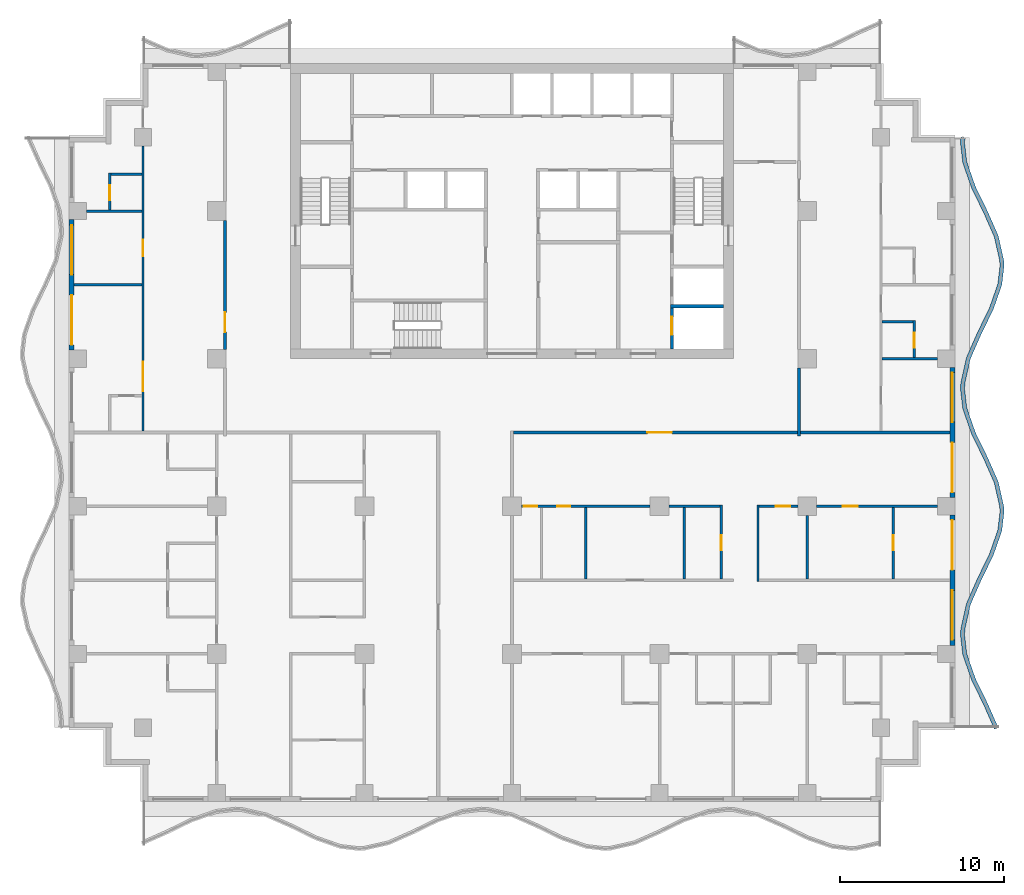
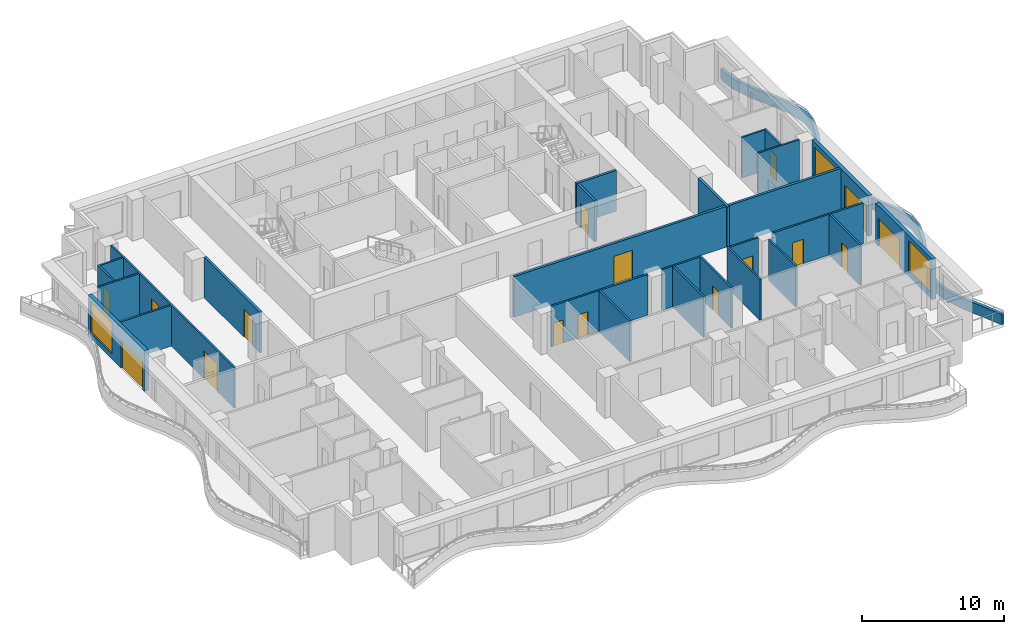
# One storey, part 4 of 11: 28 walls, 16 doors, 3 windows, 19 openings.
"""IFC4 building model written with IfcOpenShell, lengths in metres."""

from ifc_helpers import new_model, si_unit, direction, frame, frame_2d, origin, place, context, subcontext, project, spatial, polyline, rectangle, outline, extrude, material, layer, layer_set, type_object, element, fill, save


model = new_model("IFC4")

# Units and contexts
model_context = context("Model", 3, precision=1e-05, world=origin(), true_north=direction((0.0, 1.0)))
body_context = subcontext(model_context, "Body", "Model", "MODEL_VIEW")
ifc_project = project(units=[si_unit("LENGTHUNIT", "METRE"), si_unit("AREAUNIT", "SQUARE_METRE"), si_unit("VOLUMEUNIT", "CUBIC_METRE"), si_unit("PLANEANGLEUNIT", "RADIAN"), si_unit("MASSUNIT", "GRAM", prefix="KILO")], contexts=[model_context])

# Site, building, storey
site_placement = place(None, origin())
site = spatial("IfcSite", under=ifc_project, at=site_placement, CompositionType="ELEMENT")
building_placement = place(site_placement, origin())
building = spatial("IfcBuilding", under=site, at=building_placement, Name="Orbiselva Terraces", CompositionType="ELEMENT")
storey_placement = place(building_placement, frame((0.0, 0.0, 192.0)))
storey = spatial("IfcBuildingStorey", under=building, at=storey_placement, Name="L48", CompositionType="ELEMENT", Elevation=192.0)

# Wall, opening, door
ifc_material_1 = material(Name="Concrete C60/75", Category="concrete")
ifc_layer_1 = layer(ifc_material_1, 0.2)
ifc_layer_set_1 = layer_set([ifc_layer_1], Name="Concrete C60/75")
wall_type_1 = type_object("IfcWallType", Name="CORE-WALL-SHEAR-200", PredefinedType="SHEAR", material=ifc_layer_set_1)
wall_1_placement = place(storey_placement, frame((9.75, 5.1, 0.0), z_axis=(0.0, 0.0, 1.0), x_axis=(0.0, 1.0, 0.0)))
wall_1 = element("IfcWall", 1, at=wall_1_placement, inside=storey, type_object=wall_type_1, Name="L48 core wall 36", PredefinedType="SHEAR", context=body_context, shape_type="SweptSolid", body=[
    extrude(rectangle(XDim=2.5, YDim=0.2, at=frame_2d((1.25, 0.0))), origin(), (0.0, 0.0, 1.0), 3.5),
])
opening_1_placement = place(wall_1_placement, frame((0.85, 0.0, 0.0)))
opening_1 = element("IfcOpeningElement", 2, at=opening_1_placement, cuts=wall_1, Name="Opening LD-FF1", PredefinedType="OPENING", context=body_context, shape_type="SweptSolid", body=[
    extrude(rectangle(XDim=1.1, YDim=2.1, at=frame_2d((0.55, 1.05))), frame((0.0, 0.11, 0.0), z_axis=(0.0, -1.0, 0.0), x_axis=(1.0, 0.0, 0.0)), (0.0, 0.0, 1.0), 0.22),
])
ifc_material_2 = material(Name="Stainless steel landing door", Category="steel")
door_type_1 = type_object("IfcDoorType", Name="LANDING DOOR 1100", OperationType="SLIDING_TO_LEFT", PredefinedType="DOOR", material=ifc_material_2)
door_1_placement = place(opening_1_placement, origin())
door_1 = element("IfcDoor", 3, at=door_1_placement, inside=storey, type_object=door_type_1, Name="L48 landing door FF1", OperationType="SLIDING_TO_RIGHT", OverallHeight=2.1, OverallWidth=1.1, PredefinedType="DOOR", context=body_context, shape_type="SweptSolid", body=[
    extrude(rectangle(XDim=1.1, YDim=2.1, at=frame_2d((0.55, 1.05))), frame((0.0, 0.025, 0.0), z_axis=(0.0, -1.0, 0.0), x_axis=(1.0, 0.0, 0.0)), (0.0, 0.0, 1.0), 0.05),
])
fill(opening_1, door_1)

# Walls
wall_2_placement = place(storey_placement, frame((9.65, 7.7, 0.0), z_axis=(0.0, 0.0, 1.0), x_axis=(1.0, 0.0, 0.0)))
element("IfcWall", 4, at=wall_2_placement, inside=storey, type_object=wall_type_1, Name="L48 core wall 37", PredefinedType="SHEAR", context=body_context, shape_type="SweptSolid", body=[
    extrude(rectangle(XDim=3.25, YDim=0.2, at=frame_2d((1.625, 0.0))), origin(), (0.0, 0.0, 1.0), 3.5),
])
ifc_material_3 = material(Name="Concrete C40/50", Category="concrete")
ifc_layer_2 = layer(ifc_material_3, 0.25)
ifc_layer_set_2 = layer_set([ifc_layer_2], Name="Concrete C40/50")
wall_type_2 = type_object("IfcWallType", Name="ENV-PLANTER-250x900", PredefinedType="USERDEFINED", material=ifc_layer_set_2)
wall_3_placement = place(storey_placement, origin())
element("IfcWall", 5, at=wall_3_placement, inside=storey, type_object=wall_type_2, Name="Balcony planter L48 E", ObjectType="PLANTER", PredefinedType="USERDEFINED", context=body_context, shape_type="SweptSolid", body=[
    extrude(outline(polyline([(29.648528, -18.0), (28.987721, -16.5), (28.255211, -15.0), (27.730792, -13.5), (27.6, -12.375), (27.614774, -12.0), (27.951472, -10.5), (28.612279, -9.0), (29.344789, -7.5), (29.869208, -6.0), (30.0, -4.875), (29.985226, -4.5), (29.648528, -3.0), (28.987721, -1.5), (28.255211, 0.0), (27.730792, 1.5), (27.6, 2.625), (27.614774, 3.0), (27.951472, 4.5), (28.612279, 6.0), (29.344789, 7.5), (29.869208, 9.0), (30.0, 10.125), (29.985226, 10.5), (29.648528, 12.0), (28.987721, 13.5), (28.255211, 15.0), (27.730792, 16.5), (27.6, 17.625), (27.614774, 18.0), (27.364968, 18.009842), (27.349429, 17.615428), (27.485662, 16.443629), (28.024089, 14.90356), (28.760919, 13.394714), (29.40993, 11.921492), (29.736315, 10.467435), (29.749429, 10.134572), (29.624078, 9.056371), (29.113667, 7.59644), (28.385477, 6.105286), (27.712874, 4.578508), (27.365863, 3.032565), (27.349429, 2.615428), (27.485662, 1.443629), (28.024089, -0.09644), (28.760919, -1.605286), (29.40993, -3.078508), (29.736315, -4.532565), (29.749429, -4.865428), (29.624078, -5.943629), (29.113667, -7.40356), (28.385477, -8.894714), (27.712874, -10.421492), (27.365863, -11.967435), (27.349429, -12.384572), (27.485662, -13.556371), (28.024089, -15.09644), (28.760919, -16.605286), (29.419745, -18.100788), (29.648528, -18.0)])), origin(), (0.0, 0.0, 1.0), 0.9),
])

# Wall, openings, door, window
ifc_material_4 = material(Name="Terracotta cladding on masonry backing", Category="masonry")
ifc_layer_3 = layer(ifc_material_4, 0.3)
ifc_layer_set_3 = layer_set([ifc_layer_3], Name="Terracotta cladding on masonry backing")
wall_type_3 = type_object("IfcWallType", Name="ENV-WALL-TERRACOTTA-300", PredefinedType="SOLIDWALL", material=ifc_layer_set_3)
wall_4_placement = place(storey_placement, frame((26.85, -5.025, 0.0), z_axis=(0.0, 0.0, 1.0), x_axis=(0.0, -1.0, 0.0)))
wall_4 = element("IfcWall", 6, at=wall_4_placement, inside=storey, type_object=wall_type_3, Name="Facade wall L48 E", PredefinedType="SOLIDWALL", context=body_context, shape_type="SweptSolid", body=[
    extrude(rectangle(XDim=7.95, YDim=0.3, at=frame_2d((3.975, 0.0))), origin(), (0.0, 0.0, 1.0), 3.5),
])
opening_2_placement = place(wall_4_placement, frame((4.6, 0.0, 0.45)))
opening_2 = element("IfcOpeningElement", 7, at=opening_2_placement, cuts=wall_4, Name="Opening WN14", PredefinedType="OPENING", context=body_context, shape_type="SweptSolid", body=[
    extrude(rectangle(XDim=3.025, YDim=2.65, at=frame_2d((1.5125, 1.325))), frame((0.0, 0.16, 0.0), z_axis=(0.0, -1.0, 0.0), x_axis=(1.0, 0.0, 0.0)), (0.0, 0.0, 1.0), 0.32),
])
opening_3_placement = place(wall_4_placement, frame((0.325, 0.0, 0.0)))
opening_3 = element("IfcOpeningElement", 8, at=opening_3_placement, cuts=wall_4, Name="Opening Z4-A-E17", PredefinedType="OPENING", context=body_context, shape_type="SweptSolid", body=[
    extrude(rectangle(XDim=3.025, YDim=2.4, at=frame_2d((1.5125, 1.2))), frame((0.0, 0.16, 0.0), z_axis=(0.0, -1.0, 0.0), x_axis=(1.0, 0.0, 0.0)), (0.0, 0.0, 1.0), 0.32),
])
ifc_material_5 = material(Name="Clear low-e glazing in aluminium frame", Category="aluminium")
door_type_2 = type_object("IfcDoorType", Name="BALCONY DOOR 3025 X 2400", OperationType="DOUBLE_DOOR_SLIDING", PredefinedType="DOOR", material=ifc_material_5)
door_2_placement = place(opening_3_placement, origin())
door_2 = element("IfcDoor", 9, at=door_2_placement, inside=storey, type_object=door_type_2, Name="Z4-A-E17", OperationType="SINGLE_SWING_LEFT", OverallHeight=2.4, OverallWidth=3.025, PredefinedType="DOOR", context=body_context, shape_type="SweptSolid", body=[
    extrude(rectangle(XDim=3.025, YDim=2.4, at=frame_2d((1.5125, 1.2))), frame((0.0, 0.025, 0.0), z_axis=(0.0, -1.0, 0.0), x_axis=(1.0, 0.0, 0.0)), (0.0, 0.0, 1.0), 0.05),
])
fill(opening_3, door_2)
window_type = type_object("IfcWindowType", Name="WINDOW 3025 X 2650 S450", PartitioningType="TRIPLE_PANEL_VERTICAL", PredefinedType="WINDOW", material=ifc_material_5)
window_1_placement = place(opening_2_placement, origin())
window_1 = element("IfcWindow", 10, at=window_1_placement, inside=storey, type_object=window_type, Name="Window L48 E", OverallHeight=2.65, OverallWidth=3.025, PartitioningType="SINGLE_PANEL", PredefinedType="WINDOW", context=body_context, shape_type="SweptSolid", body=[
    extrude(rectangle(XDim=3.025, YDim=2.65, at=frame_2d((1.5125, 1.325))), frame((0.0, 0.03, 0.0), z_axis=(0.0, -1.0, 0.0), x_axis=(1.0, 0.0, 0.0)), (0.0, 0.0, 1.0), 0.06),
])
fill(opening_2, window_1)

wall_5_placement = place(storey_placement, frame((26.85, 3.975, 0.0), z_axis=(0.0, 0.0, 1.0), x_axis=(0.0, -1.0, 0.0)))
wall_5 = element("IfcWall", 11, at=wall_5_placement, inside=storey, type_object=wall_type_3, Name="Facade wall L48 E", PredefinedType="SOLIDWALL", context=body_context, shape_type="SweptSolid", body=[
    extrude(rectangle(XDim=7.95, YDim=0.3, at=frame_2d((3.975, 0.0))), origin(), (0.0, 0.0, 1.0), 3.5),
])
opening_4_placement = place(wall_5_placement, frame((4.6, 0.0, 0.0)))
opening_4 = element("IfcOpeningElement", 12, at=opening_4_placement, cuts=wall_5, Name="Opening Z4-A-E06", PredefinedType="OPENING", context=body_context, shape_type="SweptSolid", body=[
    extrude(rectangle(XDim=3.025, YDim=2.4, at=frame_2d((1.5125, 1.2))), frame((0.0, 0.16, 0.0), z_axis=(0.0, -1.0, 0.0), x_axis=(1.0, 0.0, 0.0)), (0.0, 0.0, 1.0), 0.32),
])
opening_5_placement = place(wall_5_placement, frame((0.325, 0.0, 0.45)))
opening_5 = element("IfcOpeningElement", 13, at=opening_5_placement, cuts=wall_5, Name="Opening WN14", PredefinedType="OPENING", context=body_context, shape_type="SweptSolid", body=[
    extrude(rectangle(XDim=3.025, YDim=2.65, at=frame_2d((1.5125, 1.325))), frame((0.0, 0.16, 0.0), z_axis=(0.0, -1.0, 0.0), x_axis=(1.0, 0.0, 0.0)), (0.0, 0.0, 1.0), 0.32),
])
door_3_placement = place(opening_4_placement, origin())
door_3 = element("IfcDoor", 14, at=door_3_placement, inside=storey, type_object=door_type_2, Name="Z4-A-E06", OperationType="SINGLE_SWING_LEFT", OverallHeight=2.4, OverallWidth=3.025, PredefinedType="DOOR", context=body_context, shape_type="SweptSolid", body=[
    extrude(rectangle(XDim=3.025, YDim=2.4, at=frame_2d((1.5125, 1.2))), frame((0.0, 0.025, 0.0), z_axis=(0.0, -1.0, 0.0), x_axis=(1.0, 0.0, 0.0)), (0.0, 0.0, 1.0), 0.05),
])
fill(opening_4, door_3)
window_2_placement = place(opening_5_placement, origin())
window_2 = element("IfcWindow", 15, at=window_2_placement, inside=storey, type_object=window_type, Name="Window L48 E", OverallHeight=2.65, OverallWidth=3.025, PartitioningType="SINGLE_PANEL", PredefinedType="WINDOW", context=body_context, shape_type="SweptSolid", body=[
    extrude(rectangle(XDim=3.025, YDim=2.65, at=frame_2d((1.5125, 1.325))), frame((0.0, 0.03, 0.0), z_axis=(0.0, -1.0, 0.0), x_axis=(1.0, 0.0, 0.0)), (0.0, 0.0, 1.0), 0.06),
])
fill(opening_5, window_2)

wall_6_placement = place(storey_placement, frame((-26.85, 5.025, 0.0), z_axis=(0.0, 0.0, 1.0), x_axis=(0.0, 1.0, 0.0)))
wall_6 = element("IfcWall", 16, at=wall_6_placement, inside=storey, type_object=wall_type_3, Name="Facade wall L48 W", PredefinedType="SOLIDWALL", context=body_context, shape_type="SweptSolid", body=[
    extrude(rectangle(XDim=7.95, YDim=0.3, at=frame_2d((3.975, 0.0))), origin(), (0.0, 0.0, 1.0), 3.5),
])
opening_6_placement = place(wall_6_placement, frame((4.6, 0.0, 0.45)))
opening_6 = element("IfcOpeningElement", 17, at=opening_6_placement, cuts=wall_6, Name="Opening WN14", PredefinedType="OPENING", context=body_context, shape_type="SweptSolid", body=[
    extrude(rectangle(XDim=3.025, YDim=2.65, at=frame_2d((1.5125, 1.325))), frame((0.0, 0.16, 0.0), z_axis=(0.0, -1.0, 0.0), x_axis=(1.0, 0.0, 0.0)), (0.0, 0.0, 1.0), 0.32),
])
opening_7_placement = place(wall_6_placement, frame((0.325, 0.0, 0.0)))
opening_7 = element("IfcOpeningElement", 18, at=opening_7_placement, cuts=wall_6, Name="Opening Z4-A-E20", PredefinedType="OPENING", context=body_context, shape_type="SweptSolid", body=[
    extrude(rectangle(XDim=3.025, YDim=2.4, at=frame_2d((1.5125, 1.2))), frame((0.0, 0.16, 0.0), z_axis=(0.0, -1.0, 0.0), x_axis=(1.0, 0.0, 0.0)), (0.0, 0.0, 1.0), 0.32),
])
door_4_placement = place(opening_7_placement, origin())
door_4 = element("IfcDoor", 19, at=door_4_placement, inside=storey, type_object=door_type_2, Name="Z4-A-E20", OperationType="SINGLE_SWING_LEFT", OverallHeight=2.4, OverallWidth=3.025, PredefinedType="DOOR", context=body_context, shape_type="SweptSolid", body=[
    extrude(rectangle(XDim=3.025, YDim=2.4, at=frame_2d((1.5125, 1.2))), frame((0.0, 0.025, 0.0), z_axis=(0.0, -1.0, 0.0), x_axis=(1.0, 0.0, 0.0)), (0.0, 0.0, 1.0), 0.05),
])
fill(opening_7, door_4)
window_3_placement = place(opening_6_placement, origin())
window_3 = element("IfcWindow", 20, at=window_3_placement, inside=storey, type_object=window_type, Name="Window L48 W", OverallHeight=2.65, OverallWidth=3.025, PartitioningType="SINGLE_PANEL", PredefinedType="WINDOW", context=body_context, shape_type="SweptSolid", body=[
    extrude(rectangle(XDim=3.025, YDim=2.65, at=frame_2d((1.5125, 1.325))), frame((0.0, 0.03, 0.0), z_axis=(0.0, -1.0, 0.0), x_axis=(1.0, 0.0, 0.0)), (0.0, 0.0, 1.0), 0.06),
])
fill(opening_6, window_3)

# Wall, opening, door
ifc_material_6 = material(Name="Plasterboard on steel stud partition", Category="steel")
ifc_layer_4 = layer(ifc_material_6, 0.2)
ifc_layer_set_4 = layer_set([ifc_layer_4], Name="Plasterboard on steel stud partition")
wall_type_4 = type_object("IfcWallType", Name="UNIT-ENTRANCE-WALL-200", PredefinedType="PARTITIONING", material=ifc_layer_set_4)
wall_7_placement = place(storey_placement, frame((17.4, 0.0, 0.0), z_axis=(0.0, 0.0, 1.0), x_axis=(-1.0, 0.0, 0.0)))
wall_7 = element("IfcWall", 21, at=wall_7_placement, inside=storey, type_object=wall_type_4, Name="PARTITION L48-028", PredefinedType="PARTITIONING", context=body_context, shape_type="SweptSolid", body=[
    extrude(rectangle(XDim=17.3, YDim=0.2, at=frame_2d((8.65, 0.0))), origin(), (0.0, 0.0, 1.0), 3.5),
])
opening_8_placement = place(wall_7_placement, frame((7.65, 0.0, 0.0)))
opening_8 = element("IfcOpeningElement", 22, at=opening_8_placement, cuts=wall_7, Name="Opening Z4-A-28", PredefinedType="OPENING", context=body_context, shape_type="SweptSolid", body=[
    extrude(rectangle(XDim=1.5, YDim=2.4, at=frame_2d((0.75, 1.2))), frame((0.0, 0.11, 0.0), z_axis=(0.0, -1.0, 0.0), x_axis=(1.0, 0.0, 0.0)), (0.0, 0.0, 1.0), 0.22),
])
ifc_material_7 = material(Name="Painted timber door leaf", Category="wood")
door_type_3 = type_object("IfcDoorType", Name="ENTRANCE DOUBLE DOOR 1500", OperationType="NOTDEFINED", PredefinedType="DOOR", material=ifc_material_7)
door_5_placement = place(opening_8_placement, origin())
door_5 = element("IfcDoor", 23, at=door_5_placement, inside=storey, type_object=door_type_3, Name="Z4-A-28", OperationType="DOUBLE_DOOR_SINGLE_SWING", OverallHeight=2.4, OverallWidth=1.5, PredefinedType="DOOR", context=body_context, shape_type="SweptSolid", body=[
    extrude(rectangle(XDim=1.5, YDim=2.4, at=frame_2d((0.75, 1.2))), frame((0.0, 0.025, 0.0), z_axis=(0.0, -1.0, 0.0), x_axis=(1.0, 0.0, 0.0)), (0.0, 0.0, 1.0), 0.05),
])
fill(opening_8, door_5)

wall_8_placement = place(storey_placement, frame((-17.5, 5.075, 0.0), z_axis=(0.0, 0.0, 1.0), x_axis=(0.0, 1.0, 0.0)))
wall_8 = element("IfcWall", 24, at=wall_8_placement, inside=storey, type_object=wall_type_4, Name="PARTITION L48-051", PredefinedType="PARTITIONING", context=body_context, shape_type="SweptSolid", body=[
    extrude(rectangle(XDim=7.85, YDim=0.2, at=frame_2d((3.925, 0.0))), origin(), (0.0, 0.0, 1.0), 3.5),
])
opening_9_placement = place(wall_8_placement, frame((1.05, 0.0, 0.0)))
opening_9 = element("IfcOpeningElement", 25, at=opening_9_placement, cuts=wall_8, Name="Opening Z4-A-02", PredefinedType="OPENING", context=body_context, shape_type="SweptSolid", body=[
    extrude(rectangle(XDim=1.2, YDim=2.4, at=frame_2d((0.6, 1.2))), frame((0.0, 0.11, 0.0), z_axis=(0.0, -1.0, 0.0), x_axis=(1.0, 0.0, 0.0)), (0.0, 0.0, 1.0), 0.22),
])
door_type_4 = type_object("IfcDoorType", Name="ENTRANCE DOOR 1200", OperationType="NOTDEFINED", PredefinedType="DOOR", material=ifc_material_7)
door_6_placement = place(opening_9_placement, origin())
door_6 = element("IfcDoor", 26, at=door_6_placement, inside=storey, type_object=door_type_4, Name="Z4-A-02", OperationType="SINGLE_SWING_LEFT", OverallHeight=2.4, OverallWidth=1.2, PredefinedType="DOOR", context=body_context, shape_type="SweptSolid", body=[
    extrude(rectangle(XDim=1.2, YDim=2.4, at=frame_2d((0.6, 1.2))), frame((0.0, 0.025, 0.0), z_axis=(0.0, -1.0, 0.0), x_axis=(1.0, 0.0, 0.0)), (0.0, 0.0, 1.0), 0.05),
])
fill(opening_9, door_6)

# Wall
wall_9_placement = place(storey_placement, frame((17.5, -0.2, 0.0), z_axis=(0.0, 0.0, 1.0), x_axis=(0.0, 1.0, 0.0)))
element("IfcWall", 27, at=wall_9_placement, inside=storey, type_object=wall_type_4, Name="PARTITION L48-072", PredefinedType="PARTITIONING", context=body_context, shape_type="SweptSolid", body=[
    extrude(rectangle(XDim=4.125, YDim=0.2, at=frame_2d((2.0625, 0.0))), origin(), (0.0, 0.0, 1.0), 3.5),
])

# Wall, openings, doors
ifc_layer_5 = layer(ifc_material_6, 0.15)
ifc_layer_set_5 = layer_set([ifc_layer_5], Name="Plasterboard on steel stud partition")
wall_type_5 = type_object("IfcWallType", Name="UNIT-PARTITION-150", PredefinedType="PARTITIONING", material=ifc_layer_set_5)
wall_10_placement = place(storey_placement, frame((8.425, -4.5, 0.0), z_axis=(0.0, 0.0, 1.0), x_axis=(-1.0, 0.0, 0.0)))
wall_10 = element("IfcWall", 28, at=wall_10_placement, inside=storey, type_object=wall_type_5, Name="PARTITION L48-021", PredefinedType="PARTITIONING", context=body_context, shape_type="SweptSolid", body=[
    extrude(rectangle(XDim=7.85, YDim=0.15, at=frame_2d((3.925, 0.0))), origin(), (0.0, 0.0, 1.0), 3.5),
])
opening_10_placement = place(wall_10_placement, frame((6.9, 0.0, 0.0)))
opening_10 = element("IfcOpeningElement", 29, at=opening_10_placement, cuts=wall_10, Name="Opening Z4-A-29", PredefinedType="OPENING", context=body_context, shape_type="SweptSolid", body=[
    extrude(rectangle(XDim=0.8, YDim=2.0, at=frame_2d((0.4, 1.0))), frame((0.0, 0.085, 0.0), z_axis=(0.0, -1.0, 0.0), x_axis=(1.0, 0.0, 0.0)), (0.0, 0.0, 1.0), 0.17),
])
opening_11_placement = place(wall_10_placement, frame((4.875, 0.0, 0.0)))
opening_11 = element("IfcOpeningElement", 30, at=opening_11_placement, cuts=wall_10, Name="Opening Z4-A-30", PredefinedType="OPENING", context=body_context, shape_type="SweptSolid", body=[
    extrude(rectangle(XDim=0.8, YDim=2.0, at=frame_2d((0.4, 1.0))), frame((0.0, 0.085, 0.0), z_axis=(0.0, -1.0, 0.0), x_axis=(1.0, 0.0, 0.0)), (0.0, 0.0, 1.0), 0.17),
])
door_type_5 = type_object("IfcDoorType", Name="STORE DOOR 800", OperationType="NOTDEFINED", PredefinedType="DOOR", material=ifc_material_7)
door_7_placement = place(opening_10_placement, origin())
door_7 = element("IfcDoor", 31, at=door_7_placement, inside=storey, type_object=door_type_5, Name="Z4-A-29", OperationType="SINGLE_SWING_RIGHT", OverallHeight=2.0, OverallWidth=0.8, PredefinedType="DOOR", context=body_context, shape_type="SweptSolid", body=[
    extrude(rectangle(XDim=0.8, YDim=2.0, at=frame_2d((0.4, 1.0))), frame((0.0, 0.025, 0.0), z_axis=(0.0, -1.0, 0.0), x_axis=(1.0, 0.0, 0.0)), (0.0, 0.0, 1.0), 0.05),
])
fill(opening_10, door_7)
door_8_placement = place(opening_11_placement, origin())
door_8 = element("IfcDoor", 32, at=door_8_placement, inside=storey, type_object=door_type_5, Name="Z4-A-30", OperationType="SINGLE_SWING_RIGHT", OverallHeight=2.0, OverallWidth=0.8, PredefinedType="DOOR", context=body_context, shape_type="SweptSolid", body=[
    extrude(rectangle(XDim=0.8, YDim=2.0, at=frame_2d((0.4, 1.0))), frame((0.0, 0.025, 0.0), z_axis=(0.0, -1.0, 0.0), x_axis=(1.0, 0.0, 0.0)), (0.0, 0.0, 1.0), 0.05),
])
fill(opening_11, door_8)

# Wall
wall_11_placement = place(storey_placement, frame((9.575, -4.5, 0.0), z_axis=(0.0, 0.0, 1.0), x_axis=(1.0, 0.0, 0.0)))
element("IfcWall", 33, at=wall_11_placement, inside=storey, type_object=wall_type_5, Name="PARTITION L48-022", PredefinedType="PARTITIONING", context=body_context, shape_type="SweptSolid", body=[
    extrude(rectangle(XDim=3.1, YDim=0.15, at=frame_2d((1.55, 0.0))), origin(), (0.0, 0.0, 1.0), 3.5),
])

# Wall, opening, door
wall_12_placement = place(storey_placement, frame((17.425, -4.5, 0.0), z_axis=(0.0, 0.0, 1.0), x_axis=(-1.0, 0.0, 0.0)))
wall_12 = element("IfcWall", 34, at=wall_12_placement, inside=storey, type_object=wall_type_5, Name="PARTITION L48-023", PredefinedType="PARTITIONING", context=body_context, shape_type="SweptSolid", body=[
    extrude(rectangle(XDim=2.35, YDim=0.15, at=frame_2d((1.175, 0.0))), origin(), (0.0, 0.0, 1.0), 3.5),
])
opening_12_placement = place(wall_12_placement, frame((0.45, 0.0, 0.0)))
opening_12 = element("IfcOpeningElement", 35, at=opening_12_placement, cuts=wall_12, Name="Opening Z4-A-33", PredefinedType="OPENING", context=body_context, shape_type="SweptSolid", body=[
    extrude(rectangle(XDim=0.9, YDim=2.1, at=frame_2d((0.45, 1.05))), frame((0.0, 0.085, 0.0), z_axis=(0.0, -1.0, 0.0), x_axis=(1.0, 0.0, 0.0)), (0.0, 0.0, 1.0), 0.17),
])
door_type_6 = type_object("IfcDoorType", Name="SERVICE DOOR 900", OperationType="NOTDEFINED", PredefinedType="DOOR", material=ifc_material_7)
door_9_placement = place(opening_12_placement, origin())
door_9 = element("IfcDoor", 36, at=door_9_placement, inside=storey, type_object=door_type_6, Name="Z4-A-33", OperationType="SINGLE_SWING_LEFT", OverallHeight=2.1, OverallWidth=0.9, PredefinedType="DOOR", context=body_context, shape_type="SweptSolid", body=[
    extrude(rectangle(XDim=0.9, YDim=2.1, at=frame_2d((0.45, 1.05))), frame((0.0, 0.025, 0.0), z_axis=(0.0, -1.0, 0.0), x_axis=(1.0, 0.0, 0.0)), (0.0, 0.0, 1.0), 0.05),
])
fill(opening_12, door_9)

wall_13_placement = place(storey_placement, frame((25.95, -4.5, 0.0), z_axis=(0.0, 0.0, 1.0), x_axis=(-1.0, 0.0, 0.0)))
wall_13 = element("IfcWall", 37, at=wall_13_placement, inside=storey, type_object=wall_type_5, Name="PARTITION L48-024", PredefinedType="PARTITIONING", context=body_context, shape_type="SweptSolid", body=[
    extrude(rectangle(XDim=7.375, YDim=0.15, at=frame_2d((3.6875, 0.0))), origin(), (0.0, 0.0, 1.0), 3.5),
])
opening_13_placement = place(wall_13_placement, frame((4.875, 0.0, 0.0)))
opening_13 = element("IfcOpeningElement", 38, at=opening_13_placement, cuts=wall_13, Name="Opening Z4-A-34", PredefinedType="OPENING", context=body_context, shape_type="SweptSolid", body=[
    extrude(rectangle(XDim=0.9, YDim=2.1, at=frame_2d((0.45, 1.05))), frame((0.0, 0.085, 0.0), z_axis=(0.0, -1.0, 0.0), x_axis=(1.0, 0.0, 0.0)), (0.0, 0.0, 1.0), 0.17),
])
door_10_placement = place(opening_13_placement, origin())
door_10 = element("IfcDoor", 39, at=door_10_placement, inside=storey, type_object=door_type_6, Name="Z4-A-34", OperationType="SINGLE_SWING_RIGHT", OverallHeight=2.1, OverallWidth=0.9, PredefinedType="DOOR", context=body_context, shape_type="SweptSolid", body=[
    extrude(rectangle(XDim=0.9, YDim=2.1, at=frame_2d((0.45, 1.05))), frame((0.0, 0.025, 0.0), z_axis=(0.0, -1.0, 0.0), x_axis=(1.0, 0.0, 0.0)), (0.0, 0.0, 1.0), 0.05),
])
fill(opening_13, door_10)

# Walls
wall_14_placement = place(storey_placement, frame((22.575, 4.5, 0.0), z_axis=(0.0, 0.0, 1.0), x_axis=(1.0, 0.0, 0.0)))
element("IfcWall", 40, at=wall_14_placement, inside=storey, type_object=wall_type_5, Name="PARTITION L48-032", PredefinedType="PARTITIONING", context=body_context, shape_type="SweptSolid", body=[
    extrude(rectangle(XDim=3.375, YDim=0.15, at=frame_2d((1.6875, 0.0))), origin(), (0.0, 0.0, 1.0), 3.5),
])
wall_15_placement = place(storey_placement, frame((22.575, 6.75, 0.0), z_axis=(0.0, 0.0, 1.0), x_axis=(1.0, 0.0, 0.0)))
element("IfcWall", 41, at=wall_15_placement, inside=storey, type_object=wall_type_5, Name="PARTITION L48-033", PredefinedType="PARTITIONING", context=body_context, shape_type="SweptSolid", body=[
    extrude(rectangle(XDim=1.875, YDim=0.15, at=frame_2d((0.9375, 0.0))), origin(), (0.0, 0.0, 1.0), 3.5),
])
wall_16_placement = place(storey_placement, frame((-26.7, 9.0, 0.0), z_axis=(0.0, 0.0, 1.0), x_axis=(1.0, 0.0, 0.0)))
element("IfcWall", 42, at=wall_16_placement, inside=storey, type_object=wall_type_5, Name="PARTITION L48-034", PredefinedType="PARTITIONING", context=body_context, shape_type="SweptSolid", body=[
    extrude(rectangle(XDim=4.125, YDim=0.15, at=frame_2d((2.0625, 0.0))), origin(), (0.0, 0.0, 1.0), 3.5),
])
wall_17_placement = place(storey_placement, frame((-25.95, 13.5, 0.0), z_axis=(0.0, 0.0, 1.0), x_axis=(1.0, 0.0, 0.0)))
element("IfcWall", 43, at=wall_17_placement, inside=storey, type_object=wall_type_5, Name="PARTITION L48-037", PredefinedType="PARTITIONING", context=body_context, shape_type="SweptSolid", body=[
    extrude(rectangle(XDim=3.375, YDim=0.15, at=frame_2d((1.6875, 0.0))), origin(), (0.0, 0.0, 1.0), 3.5),
])
wall_18_placement = place(storey_placement, frame((-24.45, 15.75, 0.0), z_axis=(0.0, 0.0, 1.0), x_axis=(1.0, 0.0, 0.0)))
element("IfcWall", 44, at=wall_18_placement, inside=storey, type_object=wall_type_5, Name="PARTITION L48-038", PredefinedType="PARTITIONING", context=body_context, shape_type="SweptSolid", body=[
    extrude(rectangle(XDim=1.875, YDim=0.15, at=frame_2d((0.9375, 0.0))), origin(), (0.0, 0.0, 1.0), 3.5),
])

# Wall, opening, door
wall_19_placement = place(storey_placement, frame((-24.525, 15.825, 0.0), z_axis=(0.0, 0.0, 1.0), x_axis=(0.0, -1.0, 0.0)))
wall_19 = element("IfcWall", 45, at=wall_19_placement, inside=storey, type_object=wall_type_5, Name="PARTITION L48-041", PredefinedType="PARTITIONING", context=body_context, shape_type="SweptSolid", body=[
    extrude(rectangle(XDim=2.25, YDim=0.15, at=frame_2d((1.125, 0.0))), origin(), (0.0, 0.0, 1.0), 3.5),
])
opening_14_placement = place(wall_19_placement, frame((0.75, 0.0, 0.0)))
opening_14 = element("IfcOpeningElement", 46, at=opening_14_placement, cuts=wall_19, Name="Opening Z4-A-07", PredefinedType="OPENING", context=body_context, shape_type="SweptSolid", body=[
    extrude(rectangle(XDim=0.9, YDim=2.1, at=frame_2d((0.45, 1.05))), frame((0.0, 0.085, 0.0), z_axis=(0.0, -1.0, 0.0), x_axis=(1.0, 0.0, 0.0)), (0.0, 0.0, 1.0), 0.17),
])
door_type_7 = type_object("IfcDoorType", Name="BATH DOOR 900", OperationType="NOTDEFINED", PredefinedType="DOOR", material=ifc_material_7)
door_11_placement = place(opening_14_placement, origin())
door_11 = element("IfcDoor", 47, at=door_11_placement, inside=storey, type_object=door_type_7, Name="Z4-A-07", OperationType="SINGLE_SWING_RIGHT", OverallHeight=2.1, OverallWidth=0.9, PredefinedType="DOOR", context=body_context, shape_type="SweptSolid", body=[
    extrude(rectangle(XDim=0.9, YDim=2.1, at=frame_2d((0.45, 1.05))), frame((0.0, 0.025, 0.0), z_axis=(0.0, -1.0, 0.0), x_axis=(1.0, 0.0, 0.0)), (0.0, 0.0, 1.0), 0.05),
])
fill(opening_14, door_11)

# Wall, openings, doors
wall_20_placement = place(storey_placement, frame((-22.5, 0.1, 0.0), z_axis=(0.0, 0.0, 1.0), x_axis=(0.0, 1.0, 0.0)))
wall_20 = element("IfcWall", 48, at=wall_20_placement, inside=storey, type_object=wall_type_5, Name="PARTITION L48-042", PredefinedType="PARTITIONING", context=body_context, shape_type="SweptSolid", body=[
    extrude(rectangle(XDim=17.375, YDim=0.15, at=frame_2d((8.6875, 0.0))), origin(), (0.0, 0.0, 1.0), 3.5),
])
opening_15_placement = place(wall_20_placement, frame((2.4, 0.0, 0.0)))
opening_15 = element("IfcOpeningElement", 49, at=opening_15_placement, cuts=wall_20, Name="Opening Z4-A-03", PredefinedType="OPENING", context=body_context, shape_type="SweptSolid", body=[
    extrude(rectangle(XDim=1.8, YDim=2.4, at=frame_2d((0.9, 1.2))), frame((0.0, 0.085, 0.0), z_axis=(0.0, -1.0, 0.0), x_axis=(1.0, 0.0, 0.0)), (0.0, 0.0, 1.0), 0.17),
])
opening_16_placement = place(wall_20_placement, frame((10.65, 0.0, 0.0)))
opening_16 = element("IfcOpeningElement", 50, at=opening_16_placement, cuts=wall_20, Name="Opening Z4-A-05", PredefinedType="OPENING", context=body_context, shape_type="SweptSolid", body=[
    extrude(rectangle(XDim=1.0, YDim=2.4, at=frame_2d((0.5, 1.2))), frame((0.0, 0.085, 0.0), z_axis=(0.0, -1.0, 0.0), x_axis=(1.0, 0.0, 0.0)), (0.0, 0.0, 1.0), 0.17),
])
door_type_8 = type_object("IfcDoorType", Name="DOUBLE DOOR 1800", OperationType="NOTDEFINED", PredefinedType="DOOR", material=ifc_material_7)
door_12_placement = place(opening_15_placement, origin())
door_12 = element("IfcDoor", 51, at=door_12_placement, inside=storey, type_object=door_type_8, Name="Z4-A-03", OperationType="DOUBLE_DOOR_SINGLE_SWING", OverallHeight=2.4, OverallWidth=1.8, PredefinedType="DOOR", context=body_context, shape_type="SweptSolid", body=[
    extrude(rectangle(XDim=1.8, YDim=2.4, at=frame_2d((0.9, 1.2))), frame((0.0, 0.025, 0.0), z_axis=(0.0, -1.0, 0.0), x_axis=(1.0, 0.0, 0.0)), (0.0, 0.0, 1.0), 0.05),
])
fill(opening_15, door_12)
door_type_9 = type_object("IfcDoorType", Name="ROOM DOOR 1000", OperationType="NOTDEFINED", PredefinedType="DOOR", material=ifc_material_7)
door_13_placement = place(opening_16_placement, origin())
door_13 = element("IfcDoor", 52, at=door_13_placement, inside=storey, type_object=door_type_9, Name="Z4-A-05", OperationType="SINGLE_SWING_RIGHT", OverallHeight=2.4, OverallWidth=1.0, PredefinedType="DOOR", context=body_context, shape_type="SweptSolid", body=[
    extrude(rectangle(XDim=1.0, YDim=2.4, at=frame_2d((0.5, 1.2))), frame((0.0, 0.025, 0.0), z_axis=(0.0, -1.0, 0.0), x_axis=(1.0, 0.0, 0.0)), (0.0, 0.0, 1.0), 0.05),
])
fill(opening_16, door_13)

# Walls
for number, where, z_axis, x_axis, name in (
    (53, (4.5, -8.925, 0.0), (0.0, 0.0, 1.0), (0.0, 1.0, 0.0), "PARTITION L48-063"),
    (54, (10.5, -8.925, 0.0), (0.0, 0.0, 1.0), (0.0, 1.0, 0.0), "PARTITION L48-066"),
):
    element("IfcWall", number, at=place(storey_placement, frame(where, z_axis=z_axis, x_axis=x_axis)), inside=storey, type_object=wall_type_5, Name=name, PredefinedType="PARTITIONING", context=body_context, shape_type="SweptSolid", body=[
        extrude(rectangle(XDim=4.35, YDim=0.15, at=frame_2d((2.175, 0.0))), origin(), (0.0, 0.0, 1.0), 3.5),
    ])

# Wall, opening, door
wall_21_placement = place(storey_placement, frame((12.75, -8.925, 0.0), z_axis=(0.0, 0.0, 1.0), x_axis=(0.0, 1.0, 0.0)))
wall_21 = element("IfcWall", 55, at=wall_21_placement, inside=storey, type_object=wall_type_5, Name="PARTITION L48-068", PredefinedType="PARTITIONING", context=body_context, shape_type="SweptSolid", body=[
    extrude(rectangle(XDim=4.5, YDim=0.15, at=frame_2d((2.25, 0.0))), origin(), (0.0, 0.0, 1.0), 3.5),
])
opening_17_placement = place(wall_21_placement, frame((1.75, 0.0, 0.0)))
opening_17 = element("IfcOpeningElement", 56, at=opening_17_placement, cuts=wall_21, Name="Opening Z4-A-32", PredefinedType="OPENING", context=body_context, shape_type="SweptSolid", body=[
    extrude(rectangle(XDim=0.9, YDim=2.1, at=frame_2d((0.45, 1.05))), frame((0.0, 0.085, 0.0), z_axis=(0.0, -1.0, 0.0), x_axis=(1.0, 0.0, 0.0)), (0.0, 0.0, 1.0), 0.17),
])
door_14_placement = place(opening_17_placement, origin())
door_14 = element("IfcDoor", 57, at=door_14_placement, inside=storey, type_object=door_type_7, Name="Z4-A-32", OperationType="SINGLE_SWING_LEFT", OverallHeight=2.1, OverallWidth=0.9, PredefinedType="DOOR", context=body_context, shape_type="SweptSolid", body=[
    extrude(rectangle(XDim=0.9, YDim=2.1, at=frame_2d((0.45, 1.05))), frame((0.0, 0.025, 0.0), z_axis=(0.0, -1.0, 0.0), x_axis=(1.0, 0.0, 0.0)), (0.0, 0.0, 1.0), 0.05),
])
fill(opening_17, door_14)

# Walls
wall_22_placement = place(storey_placement, frame((15.0, -9.075, 0.0), z_axis=(0.0, 0.0, 1.0), x_axis=(0.0, 1.0, 0.0)))
element("IfcWall", 58, at=wall_22_placement, inside=storey, type_object=wall_type_5, Name="PARTITION L48-070", PredefinedType="PARTITIONING", context=body_context, shape_type="SweptSolid", body=[
    extrude(rectangle(XDim=4.65, YDim=0.15, at=frame_2d((2.325, 0.0))), origin(), (0.0, 0.0, 1.0), 3.5),
])
wall_23_placement = place(storey_placement, frame((18.0, -8.925, 0.0), z_axis=(0.0, 0.0, 1.0), x_axis=(0.0, 1.0, 0.0)))
element("IfcWall", 59, at=wall_23_placement, inside=storey, type_object=wall_type_5, Name="PARTITION L48-077", PredefinedType="PARTITIONING", context=body_context, shape_type="SweptSolid", body=[
    extrude(rectangle(XDim=3.85, YDim=0.15, at=frame_2d((1.925, 0.0))), origin(), (0.0, 0.0, 1.0), 3.5),
])

# Wall, opening, door
wall_24_placement = place(storey_placement, frame((23.25, -4.575, 0.0), z_axis=(0.0, 0.0, 1.0), x_axis=(0.0, -1.0, 0.0)))
wall_24 = element("IfcWall", 60, at=wall_24_placement, inside=storey, type_object=wall_type_5, Name="PARTITION L48-083", PredefinedType="PARTITIONING", context=body_context, shape_type="SweptSolid", body=[
    extrude(rectangle(XDim=4.35, YDim=0.15, at=frame_2d((2.175, 0.0))), origin(), (0.0, 0.0, 1.0), 3.5),
])
opening_18_placement = place(wall_24_placement, frame((1.7, 0.0, 0.0)))
opening_18 = element("IfcOpeningElement", 61, at=opening_18_placement, cuts=wall_24, Name="Opening Z4-A-35", PredefinedType="OPENING", context=body_context, shape_type="SweptSolid", body=[
    extrude(rectangle(XDim=0.9, YDim=2.1, at=frame_2d((0.45, 1.05))), frame((0.0, 0.085, 0.0), z_axis=(0.0, -1.0, 0.0), x_axis=(1.0, 0.0, 0.0)), (0.0, 0.0, 1.0), 0.17),
])
door_15_placement = place(opening_18_placement, origin())
door_15 = element("IfcDoor", 62, at=door_15_placement, inside=storey, type_object=door_type_7, Name="Z4-A-35", OperationType="SINGLE_SWING_LEFT", OverallHeight=2.1, OverallWidth=0.9, PredefinedType="DOOR", context=body_context, shape_type="SweptSolid", body=[
    extrude(rectangle(XDim=0.9, YDim=2.1, at=frame_2d((0.45, 1.05))), frame((0.0, 0.025, 0.0), z_axis=(0.0, -1.0, 0.0), x_axis=(1.0, 0.0, 0.0)), (0.0, 0.0, 1.0), 0.05),
])
fill(opening_18, door_15)

wall_25_placement = place(storey_placement, frame((24.525, 4.575, 0.0), z_axis=(0.0, 0.0, 1.0), x_axis=(0.0, 1.0, 0.0)))
wall_25 = element("IfcWall", 63, at=wall_25_placement, inside=storey, type_object=wall_type_5, Name="PARTITION L48-084", PredefinedType="PARTITIONING", context=body_context, shape_type="SweptSolid", body=[
    extrude(rectangle(XDim=2.25, YDim=0.15, at=frame_2d((1.125, 0.0))), origin(), (0.0, 0.0, 1.0), 3.5),
])
opening_19_placement = place(wall_25_placement, frame((0.6, 0.0, 0.0)))
opening_19 = element("IfcOpeningElement", 64, at=opening_19_placement, cuts=wall_25, Name="Opening Z4-A-11", PredefinedType="OPENING", context=body_context, shape_type="SweptSolid", body=[
    extrude(rectangle(XDim=0.9, YDim=2.1, at=frame_2d((0.45, 1.05))), frame((0.0, 0.085, 0.0), z_axis=(0.0, -1.0, 0.0), x_axis=(1.0, 0.0, 0.0)), (0.0, 0.0, 1.0), 0.17),
])
door_16_placement = place(opening_19_placement, origin())
door_16 = element("IfcDoor", 65, at=door_16_placement, inside=storey, type_object=door_type_7, Name="Z4-A-11", OperationType="SINGLE_SWING_LEFT", OverallHeight=2.1, OverallWidth=0.9, PredefinedType="DOOR", context=body_context, shape_type="SweptSolid", body=[
    extrude(rectangle(XDim=0.9, YDim=2.1, at=frame_2d((0.45, 1.05))), frame((0.0, 0.025, 0.0), z_axis=(0.0, -1.0, 0.0), x_axis=(1.0, 0.0, 0.0)), (0.0, 0.0, 1.0), 0.05),
])
fill(opening_19, door_16)

# Wall
ifc_layer_6 = layer(ifc_material_6, 0.2)
ifc_layer_set_6 = layer_set([ifc_layer_6], Name="Plasterboard on steel stud partition")
wall_type_6 = type_object("IfcWallType", Name="UNIT-PARTY-WALL-200", PredefinedType="PARTITIONING", material=ifc_layer_set_6)
wall_26_placement = place(storey_placement, frame((17.6, 0.0, 0.0), z_axis=(0.0, 0.0, 1.0), x_axis=(1.0, 0.0, 0.0)))
element("IfcWall", 66, at=wall_26_placement, inside=storey, type_object=wall_type_6, Name="PARTITION L48-030", PredefinedType="PARTITIONING", context=body_context, shape_type="SweptSolid", body=[
    extrude(rectangle(XDim=9.1, YDim=0.2, at=frame_2d((4.55, 0.0))), origin(), (0.0, 0.0, 1.0), 3.5),
])

save(model, "model.ifc")
